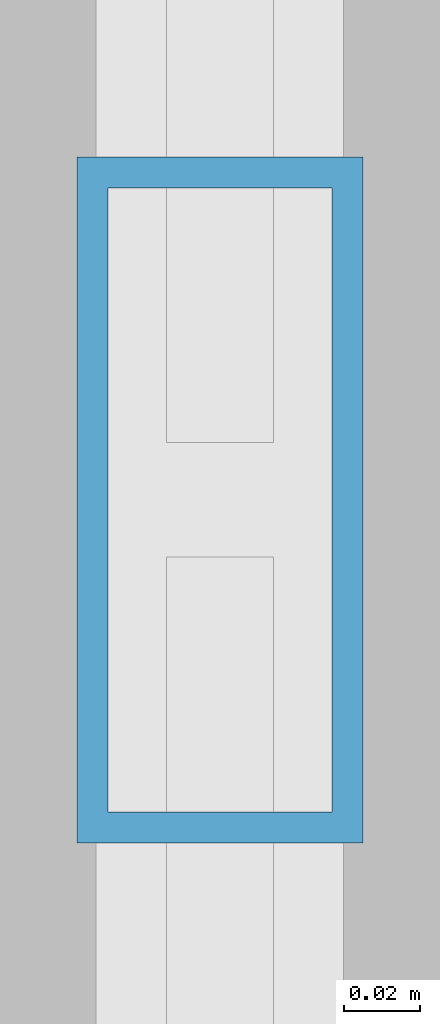
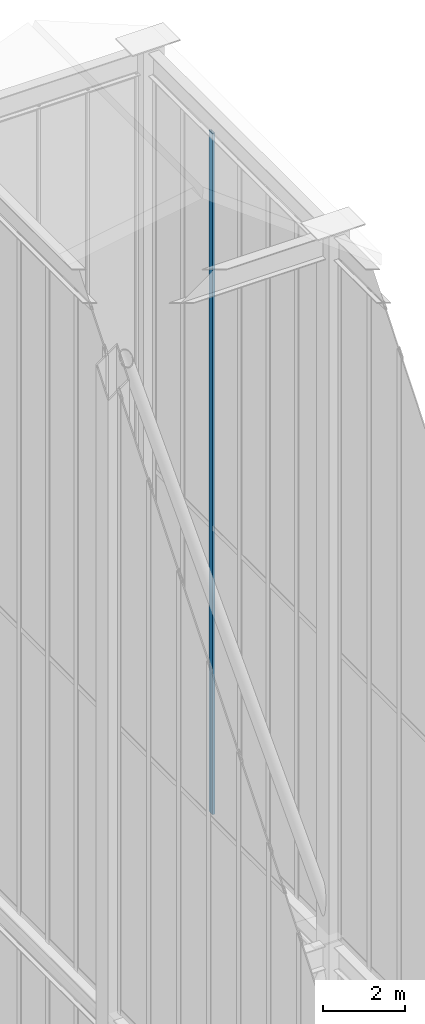
# One storey, part 114 of 135: 1 member, 1 element without a shape of its own.
"""IFC4 building model written with IfcOpenShell, lengths in metres."""

from ifc_helpers import new_model, si_unit, direction, frame, origin, origin_2d, place, context, subcontext, project, spatial, hollow_rectangle, extrude, source, transform, mapped, material, layer, layer_set, material_profile, profile_set, type_object, element, aggregate, save


model = new_model("IFC4")

# Units and contexts
model_context = context("Model", 3, precision=1e-05, world=origin(), true_north=direction((0.0, 1.0)))
body_context = subcontext(model_context, "Body", "Model", "MODEL_VIEW")
ifc_project = project(units=[si_unit("LENGTHUNIT", "METRE"), si_unit("AREAUNIT", "SQUARE_METRE"), si_unit("VOLUMEUNIT", "CUBIC_METRE"), si_unit("PLANEANGLEUNIT", "RADIAN"), si_unit("MASSUNIT", "GRAM", prefix="KILO")], contexts=[model_context])

# Site, building, storey
site_placement = place(None, origin())
site = spatial("IfcSite", under=ifc_project, at=site_placement, CompositionType="ELEMENT")
building_placement = place(site_placement, origin())
building = spatial("IfcBuilding", under=site, at=building_placement, Name="Giltprow Tower", CompositionType="ELEMENT")
storey_placement = place(building_placement, frame((0.0, 0.0, 352.699951171875)))
storey = spatial("IfcBuildingStorey", under=building, at=storey_placement, Name="L92", CompositionType="ELEMENT", Elevation=352.699951171875)

# Curtain wall, member
ifc_material = material(Name="Anodized bronze", Category="metal")
ifc_layer = layer(ifc_material, 0.179931640625, Name="Anodized bronze")
ifc_layer_set = layer_set([ifc_layer], Name="Anodized bronze")
curtain_wall_type = type_object("IfcCurtainWallType", Name="CW-CROWN-LANTERN", PredefinedType="NOTDEFINED", material=ifc_layer_set)
curtain_wall_placement = place(storey_placement, origin())
curtain_wall = element("IfcCurtainWall", 1, at=curtain_wall_placement, inside=storey, type_object=curtain_wall_type, Name="Crown East Upper Lantern Glazing 3", PredefinedType="NOTDEFINED")
ifc_material_profile = material_profile(ifc_material, hollow_rectangle(XDim=0.074951171875, YDim=0.179931640625, WallThickness=0.008056640625, at=origin_2d()), Name="RHS 180x75x8")
ifc_profile_set = profile_set([ifc_material_profile], Name="Anodized bronze")
member_type = type_object("IfcMemberType", Name="CW-MULLION-180x75", PredefinedType="MULLION", material=ifc_profile_set)
shared_shape = source(origin(), body_context, "Body", "SweptSolid", [
    extrude(hollow_rectangle(XDim=0.074951171875, YDim=0.179931640625, WallThickness=0.008056640625, at=origin_2d()), origin(), (0.0, 0.0, 1.0), 20.406005859375),
])
member_placement = place(storey_placement, frame((50.550048828125, 43.39990234375, 17.25), z_axis=(0.0, 0.0, 1.0), x_axis=(1.0, 0.0, 0.0)))
member = element("IfcMember", 2, at=member_placement, type_object=member_type, Name="Crown East Upper Lantern Glazing 3 Mullion 5", PredefinedType="MULLION", context=body_context, shape_type="MappedRepresentation", body=[
    mapped(shared_shape, transform((0.0, 0.0, 0.0), x_axis=(1.0, 0.0, 0.0), y_axis=(0.0, 1.0, 0.0), z_axis=(0.0, 0.0, 1.0), scale=1.0)),
])
aggregate(curtain_wall, [member])

save(model, "model.ifc")
